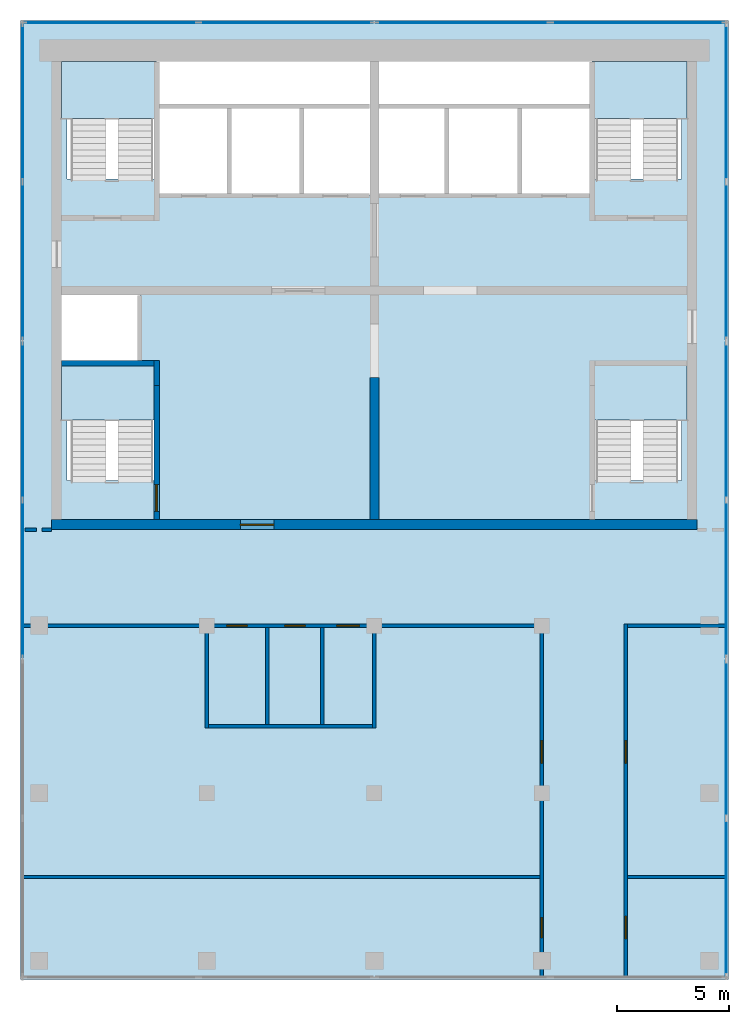
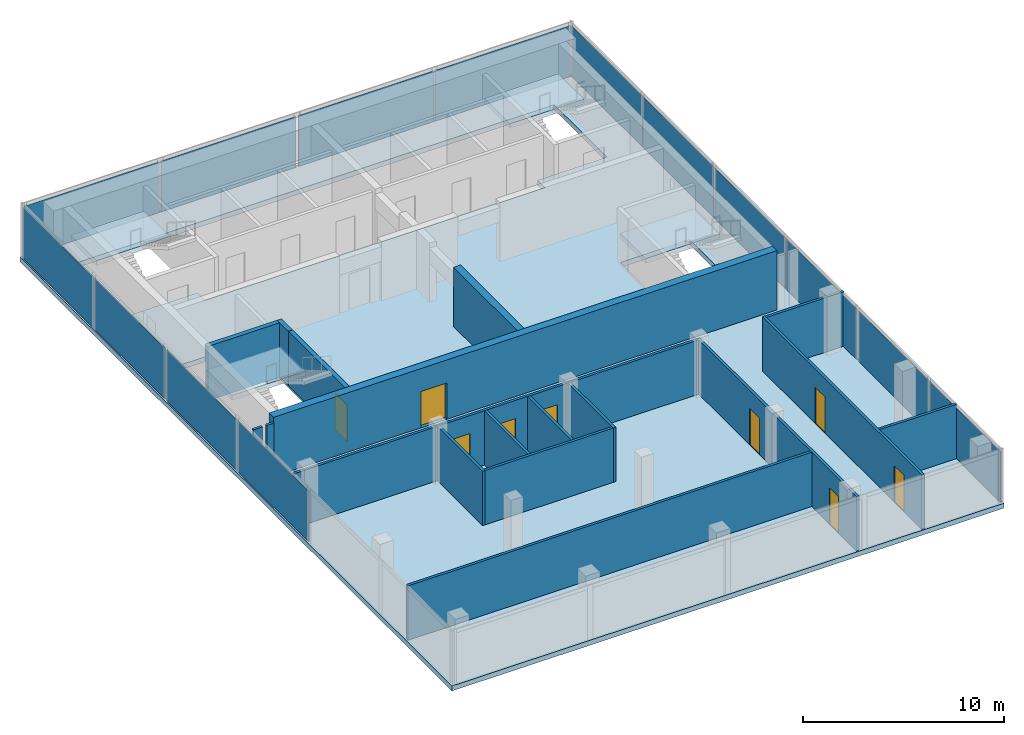
# One storey, part 2 of 5: 18 walls, 14 plates, 9 doors, 5 slabs, 9 openings, 11 elements without a shape of their own.
"""IFC4 building model written with IfcOpenShell, lengths in metres."""

from ifc_helpers import new_model, si_unit, direction, frame, frame_2d, origin, origin_2d, place, context, subcontext, project, spatial, polyline, rectangle, outline, extrude, material, layer, layer_set, type_object, element, fill, aggregate, save


model = new_model("IFC4")

# Units and contexts
model_context = context("Model", 3, precision=1e-05, world=origin(), true_north=direction((0.0, 1.0)))
body_context = subcontext(model_context, "Body", "Model", "MODEL_VIEW")
ifc_project = project(units=[si_unit("LENGTHUNIT", "METRE"), si_unit("AREAUNIT", "SQUARE_METRE"), si_unit("VOLUMEUNIT", "CUBIC_METRE"), si_unit("PLANEANGLEUNIT", "RADIAN"), si_unit("MASSUNIT", "GRAM", prefix="KILO")], contexts=[model_context])

# Site, building, storey
site_placement = place(None, origin())
site = spatial("IfcSite", under=ifc_project, at=site_placement, CompositionType="ELEMENT")
building_placement = place(site_placement, origin())
building = spatial("IfcBuilding", under=site, at=building_placement, Name="Pilkhan Gate Tower", CompositionType="ELEMENT")
storey_placement = place(building_placement, frame((0.0, 0.0, 276.5)))
storey = spatial("IfcBuildingStorey", under=building, at=storey_placement, Name="L72", CompositionType="ELEMENT", Elevation=276.5)

# Slab
ifc_material_1 = material(Name="Concrete C40/50", Category="concrete")
ifc_layer_1 = layer(ifc_material_1, 0.300048828125)
ifc_layer_set_1 = layer_set([ifc_layer_1], Name="Flat plate slab FP300")
slab_type_1 = type_object("IfcSlabType", Name="Flat plate slab FP300", PredefinedType="FLOOR", material=ifc_layer_set_1)
slab_1_placement = place(storey_placement, frame((0.0, 0.0, -0.300048828125)))
element("IfcSlab", 1, at=slab_1_placement, inside=storey, type_object=slab_type_1, Name="Floor slab L72", PredefinedType="FLOOR", context=body_context, shape_type="SweptSolid", body=[
    extrude(outline(polyline([(59.14990234375, 94.60009765625), (90.85009765625, 94.60009765625), (90.85009765625, 51.64990234375), (59.14990234375, 51.64990234375), (59.14990234375, 94.60009765625)]), holes=[polyline([(78.25, 86.75), (81.5, 86.75), (84.75, 86.75), (84.75, 87.5), (88.75, 87.5), (88.75, 92.75), (84.75, 92.75), (75.0, 92.75), (65.25, 92.75), (61.25, 92.75), (61.25, 87.5), (65.25, 87.5), (65.25, 86.75), (68.5, 86.75), (71.75, 86.75), (75.0, 86.75), (78.25, 86.75)]), polyline([(84.75, 79.25), (84.75, 74.0), (88.75, 74.0), (88.75, 79.25), (84.75, 79.25)]), polyline([(65.25, 79.25), (64.5, 79.25), (64.5, 82.5), (61.25, 82.5), (61.0, 82.5), (61.0, 79.25), (61.25, 79.25), (61.25, 74.0), (65.25, 74.0), (65.25, 79.25)])]), origin(), (0.0, 0.0, 1.0), 0.300048828125),
])

# Curtain wall, plates
ifc_material_2 = material(Name="Pale anodised aluminium, clear low-iron double glazing", Category="aluminium")
curtain_wall_type = type_object("IfcCurtainWallType", Name="Crown unitised curtain wall CW-C", PredefinedType="USERDEFINED", material=ifc_material_2)
curtain_wall_1_placement = place(storey_placement, origin())
curtain_wall_1 = element("IfcCurtainWall", 2, at=curtain_wall_1_placement, inside=storey, type_object=curtain_wall_type, Name="Crown unitised curtain wall CW-C L72 E", ObjectType="UNITISED CURTAIN WALL", PredefinedType="USERDEFINED")
ifc_material_3 = material(Name="Clear low-iron double glazing", Category="glass")
ifc_layer_2 = layer(ifc_material_3, 0.0439453125)
ifc_layer_set_2 = layer_set([ifc_layer_2], Name="Glass panel CW-C 44")
plate_type = type_object("IfcPlateType", Name="Glass panel CW-C 44", PredefinedType="CURTAIN_PANEL", material=ifc_layer_set_2)
plate_1_placement = place(storey_placement, frame((90.75, 55.331298828125, 0.0), z_axis=(0.0, 0.0, 1.0), x_axis=(0.0, 1.0, 0.0)))
plate_1 = element("IfcPlate", 3, at=plate_1_placement, type_object=plate_type, Name="CW-C panel 1", PredefinedType="CURTAIN_PANEL", context=body_context, shape_type="SweptSolid", body=[
    extrude(rectangle(XDim=7.012451171875, YDim=0.0439453125, at=origin_2d()), origin(), (0.0, 0.0, 1.0), 3.080078125),
])
plate_2_placement = place(storey_placement, frame((90.75, 62.418701171875, 0.0), z_axis=(0.0, 0.0, 1.0), x_axis=(0.0, 1.0, 0.0)))
plate_2 = element("IfcPlate", 4, at=plate_2_placement, type_object=plate_type, Name="CW-C panel 2", PredefinedType="CURTAIN_PANEL", context=body_context, shape_type="SweptSolid", body=[
    extrude(rectangle(XDim=7.012451171875, YDim=0.0439453125, at=origin_2d()), origin(), (0.0, 0.0, 1.0), 3.080078125),
])
aggregate(curtain_wall_1, [plate_1, plate_2])

curtain_wall_2_placement = place(storey_placement, origin())
curtain_wall_2 = element("IfcCurtainWall", 5, at=curtain_wall_2_placement, inside=storey, type_object=curtain_wall_type, Name="Crown unitised curtain wall CW-C L72 E", ObjectType="UNITISED CURTAIN WALL", PredefinedType="USERDEFINED")
plate_3_placement = place(storey_placement, frame((90.75, 69.581298828125, 0.0), z_axis=(0.0, 0.0, 1.0), x_axis=(0.0, 1.0, 0.0)))
plate_3 = element("IfcPlate", 6, at=plate_3_placement, type_object=plate_type, Name="CW-C panel 1", PredefinedType="CURTAIN_PANEL", context=body_context, shape_type="SweptSolid", body=[
    extrude(rectangle(XDim=7.012451171875, YDim=0.0439453125, at=origin_2d()), origin(), (0.0, 0.0, 1.0), 3.080078125),
])
plate_4_placement = place(storey_placement, frame((90.75, 76.668701171875, 0.0), z_axis=(0.0, 0.0, 1.0), x_axis=(0.0, 1.0, 0.0)))
plate_4 = element("IfcPlate", 7, at=plate_4_placement, type_object=plate_type, Name="CW-C panel 2", PredefinedType="CURTAIN_PANEL", context=body_context, shape_type="SweptSolid", body=[
    extrude(rectangle(XDim=7.012451171875, YDim=0.0439453125, at=origin_2d()), origin(), (0.0, 0.0, 1.0), 3.080078125),
])
aggregate(curtain_wall_2, [plate_3, plate_4])

curtain_wall_3_placement = place(storey_placement, origin())
curtain_wall_3 = element("IfcCurtainWall", 8, at=curtain_wall_3_placement, inside=storey, type_object=curtain_wall_type, Name="Crown unitised curtain wall CW-C L72 E", ObjectType="UNITISED CURTAIN WALL", PredefinedType="USERDEFINED")
plate_5_placement = place(storey_placement, frame((90.75, 83.831298828125, 0.0), z_axis=(0.0, 0.0, 1.0), x_axis=(0.0, 1.0, 0.0)))
plate_5 = element("IfcPlate", 9, at=plate_5_placement, type_object=plate_type, Name="CW-C panel 1", PredefinedType="CURTAIN_PANEL", context=body_context, shape_type="SweptSolid", body=[
    extrude(rectangle(XDim=7.012451171875, YDim=0.0439453125, at=origin_2d()), origin(), (0.0, 0.0, 1.0), 3.080078125),
])
plate_6_placement = place(storey_placement, frame((90.75, 90.918701171875, 0.0), z_axis=(0.0, 0.0, 1.0), x_axis=(0.0, 1.0, 0.0)))
plate_6 = element("IfcPlate", 10, at=plate_6_placement, type_object=plate_type, Name="CW-C panel 2", PredefinedType="CURTAIN_PANEL", context=body_context, shape_type="SweptSolid", body=[
    extrude(rectangle(XDim=7.012451171875, YDim=0.0439453125, at=origin_2d()), origin(), (0.0, 0.0, 1.0), 3.080078125),
])
aggregate(curtain_wall_3, [plate_5, plate_6])

curtain_wall_4_placement = place(storey_placement, origin())
curtain_wall_4 = element("IfcCurtainWall", 11, at=curtain_wall_4_placement, inside=storey, type_object=curtain_wall_type, Name="Crown unitised curtain wall CW-C L72 N", ObjectType="UNITISED CURTAIN WALL", PredefinedType="USERDEFINED")
plate_7_placement = place(storey_placement, frame((63.206298828125, 94.5, 0.0), z_axis=(0.0, 0.0, 1.0), x_axis=(1.0, 0.0, 0.0)))
plate_7 = element("IfcPlate", 12, at=plate_7_placement, type_object=plate_type, Name="CW-C panel 1", PredefinedType="CURTAIN_PANEL", context=body_context, shape_type="SweptSolid", body=[
    extrude(rectangle(XDim=7.762451171875, YDim=0.0439453125, at=origin_2d()), origin(), (0.0, 0.0, 1.0), 3.080078125),
])
plate_8_placement = place(storey_placement, frame((71.043701171875, 94.5, 0.0), z_axis=(0.0, 0.0, 1.0), x_axis=(1.0, 0.0, 0.0)))
plate_8 = element("IfcPlate", 13, at=plate_8_placement, type_object=plate_type, Name="CW-C panel 2", PredefinedType="CURTAIN_PANEL", context=body_context, shape_type="SweptSolid", body=[
    extrude(rectangle(XDim=7.762451171875, YDim=0.0439453125, at=origin_2d()), origin(), (0.0, 0.0, 1.0), 3.080078125),
])
aggregate(curtain_wall_4, [plate_7, plate_8])

curtain_wall_5_placement = place(storey_placement, origin())
curtain_wall_5 = element("IfcCurtainWall", 14, at=curtain_wall_5_placement, inside=storey, type_object=curtain_wall_type, Name="Crown unitised curtain wall CW-C L72 N", ObjectType="UNITISED CURTAIN WALL", PredefinedType="USERDEFINED")
plate_9_placement = place(storey_placement, frame((78.956298828125, 94.5, 0.0), z_axis=(0.0, 0.0, 1.0), x_axis=(1.0, 0.0, 0.0)))
plate_9 = element("IfcPlate", 15, at=plate_9_placement, type_object=plate_type, Name="CW-C panel 1", PredefinedType="CURTAIN_PANEL", context=body_context, shape_type="SweptSolid", body=[
    extrude(rectangle(XDim=7.762451171875, YDim=0.0439453125, at=origin_2d()), origin(), (0.0, 0.0, 1.0), 3.080078125),
])
plate_10_placement = place(storey_placement, frame((86.793701171875, 94.5, 0.0), z_axis=(0.0, 0.0, 1.0), x_axis=(1.0, 0.0, 0.0)))
plate_10 = element("IfcPlate", 16, at=plate_10_placement, type_object=plate_type, Name="CW-C panel 2", PredefinedType="CURTAIN_PANEL", context=body_context, shape_type="SweptSolid", body=[
    extrude(rectangle(XDim=7.762451171875, YDim=0.0439453125, at=origin_2d()), origin(), (0.0, 0.0, 1.0), 3.080078125),
])
aggregate(curtain_wall_5, [plate_9, plate_10])

curtain_wall_6_placement = place(storey_placement, origin())
curtain_wall_6 = element("IfcCurtainWall", 17, at=curtain_wall_6_placement, inside=storey, type_object=curtain_wall_type, Name="Crown unitised curtain wall CW-C L72 W", ObjectType="UNITISED CURTAIN WALL", PredefinedType="USERDEFINED")
plate_11_placement = place(storey_placement, frame((59.25, 69.581298828125, 0.0), z_axis=(0.0, 0.0, 1.0), x_axis=(0.0, 1.0, 0.0)))
plate_11 = element("IfcPlate", 18, at=plate_11_placement, type_object=plate_type, Name="CW-C panel 1", PredefinedType="CURTAIN_PANEL", context=body_context, shape_type="SweptSolid", body=[
    extrude(rectangle(XDim=7.012451171875, YDim=0.0439453125, at=origin_2d()), origin(), (0.0, 0.0, 1.0), 3.080078125),
])
plate_12_placement = place(storey_placement, frame((59.25, 76.668701171875, 0.0), z_axis=(0.0, 0.0, 1.0), x_axis=(0.0, 1.0, 0.0)))
plate_12 = element("IfcPlate", 19, at=plate_12_placement, type_object=plate_type, Name="CW-C panel 2", PredefinedType="CURTAIN_PANEL", context=body_context, shape_type="SweptSolid", body=[
    extrude(rectangle(XDim=7.012451171875, YDim=0.0439453125, at=origin_2d()), origin(), (0.0, 0.0, 1.0), 3.080078125),
])
aggregate(curtain_wall_6, [plate_11, plate_12])

curtain_wall_7_placement = place(storey_placement, origin())
curtain_wall_7 = element("IfcCurtainWall", 20, at=curtain_wall_7_placement, inside=storey, type_object=curtain_wall_type, Name="Crown unitised curtain wall CW-C L72 W", ObjectType="UNITISED CURTAIN WALL", PredefinedType="USERDEFINED")
plate_13_placement = place(storey_placement, frame((59.25, 83.831298828125, 0.0), z_axis=(0.0, 0.0, 1.0), x_axis=(0.0, 1.0, 0.0)))
plate_13 = element("IfcPlate", 21, at=plate_13_placement, type_object=plate_type, Name="CW-C panel 1", PredefinedType="CURTAIN_PANEL", context=body_context, shape_type="SweptSolid", body=[
    extrude(rectangle(XDim=7.012451171875, YDim=0.0439453125, at=origin_2d()), origin(), (0.0, 0.0, 1.0), 3.080078125),
])
plate_14_placement = place(storey_placement, frame((59.25, 90.918701171875, 0.0), z_axis=(0.0, 0.0, 1.0), x_axis=(0.0, 1.0, 0.0)))
plate_14 = element("IfcPlate", 22, at=plate_14_placement, type_object=plate_type, Name="CW-C panel 2", PredefinedType="CURTAIN_PANEL", context=body_context, shape_type="SweptSolid", body=[
    extrude(rectangle(XDim=7.012451171875, YDim=0.0439453125, at=origin_2d()), origin(), (0.0, 0.0, 1.0), 3.080078125),
])
aggregate(curtain_wall_7, [plate_13, plate_14])

# Stair, slab
ifc_material_4 = material(Name="Concrete C40/50 precast", Category="concrete")
stair_type_1 = type_object("IfcStairType", Name="Stair ST1 164x280", PredefinedType="HALF_TURN_STAIR", material=ifc_material_4)
stair_1_placement = place(storey_placement, origin())
stair_1 = element("IfcStair", 23, at=stair_1_placement, inside=storey, type_object=stair_type_1, Name="Stair ST1 L72", PredefinedType="HALF_TURN_STAIR")
ifc_layer_3 = layer(ifc_material_1, 0.199951171875)
ifc_layer_set_3 = layer_set([ifc_layer_3], Name="Stair landing SL200")
slab_type_2 = type_object("IfcSlabType", Name="Stair landing SL200", PredefinedType="LANDING", material=ifc_layer_set_3)
slab_2_placement = place(storey_placement, frame((0.0, 0.0, 1.5)))
slab_2 = element("IfcSlab", 24, at=slab_2_placement, type_object=slab_type_2, Name="ST1 landing 1", PredefinedType="LANDING", context=body_context, shape_type="SweptSolid", body=[
    extrude(outline(polyline([(89.0, 76.699951171875), (89.0, 79.25), (84.75, 79.25), (84.75, 76.699951171875), (89.0, 76.699951171875)])), origin(), (0.0, 0.0, 1.0), 0.300048828125),
])
aggregate(stair_1, [slab_2])

stair_type_2 = type_object("IfcStairType", Name="Stair ST2 164x280", PredefinedType="HALF_TURN_STAIR", material=ifc_material_4)
stair_2_placement = place(storey_placement, origin())
stair_2 = element("IfcStair", 25, at=stair_2_placement, inside=storey, type_object=stair_type_2, Name="Stair ST2 L72", PredefinedType="HALF_TURN_STAIR")
slab_3_placement = place(storey_placement, frame((0.0, 0.0, 1.5)))
slab_3 = element("IfcSlab", 26, at=slab_3_placement, type_object=slab_type_2, Name="ST2 landing 1", PredefinedType="LANDING", context=body_context, shape_type="SweptSolid", body=[
    extrude(outline(polyline([(65.25, 76.699951171875), (65.25, 79.25), (61.0, 79.25), (61.0, 76.699951171875), (65.25, 76.699951171875)])), origin(), (0.0, 0.0, 1.0), 0.300048828125),
])
aggregate(stair_2, [slab_3])

stair_type_3 = type_object("IfcStairType", Name="Stair ST3 164x280", PredefinedType="HALF_TURN_STAIR", material=ifc_material_4)
stair_3_placement = place(storey_placement, origin())
stair_3 = element("IfcStair", 27, at=stair_3_placement, inside=storey, type_object=stair_type_3, Name="Stair ST3 L72", PredefinedType="HALF_TURN_STAIR")
slab_4_placement = place(storey_placement, frame((0.0, 0.0, 1.5)))
slab_4 = element("IfcSlab", 28, at=slab_4_placement, type_object=slab_type_2, Name="ST3 landing 1", PredefinedType="LANDING", context=body_context, shape_type="SweptSolid", body=[
    extrude(outline(polyline([(65.25, 90.199951171875), (65.25, 92.75), (61.0, 92.75), (61.0, 90.199951171875), (65.25, 90.199951171875)])), origin(), (0.0, 0.0, 1.0), 0.300048828125),
])
aggregate(stair_3, [slab_4])

stair_type_4 = type_object("IfcStairType", Name="Stair ST4 164x280", PredefinedType="HALF_TURN_STAIR", material=ifc_material_4)
stair_4_placement = place(storey_placement, origin())
stair_4 = element("IfcStair", 29, at=stair_4_placement, inside=storey, type_object=stair_type_4, Name="Stair ST4 L72", PredefinedType="HALF_TURN_STAIR")
slab_5_placement = place(storey_placement, frame((0.0, 0.0, 1.5)))
slab_5 = element("IfcSlab", 30, at=slab_5_placement, type_object=slab_type_2, Name="ST4 landing 1", PredefinedType="LANDING", context=body_context, shape_type="SweptSolid", body=[
    extrude(outline(polyline([(89.0, 90.199951171875), (89.0, 92.75), (84.75, 92.75), (84.75, 90.199951171875), (89.0, 90.199951171875)])), origin(), (0.0, 0.0, 1.0), 0.300048828125),
])
aggregate(stair_4, [slab_5])

# Wall, opening, door
ifc_material_5 = material(Name="Concrete C50/60", Category="concrete")
ifc_layer_4 = layer(ifc_material_5, 0.449951171875)
ifc_layer_set_4 = layer_set([ifc_layer_4], Name="Core wall CW450 C50/60")
wall_type_1 = type_object("IfcWallType", Name="Core wall CW450 C50/60", PredefinedType="SHEAR", material=ifc_layer_set_4)
wall_1_placement = place(storey_placement, frame((60.550048828125, 72.02490234375, 0.0), z_axis=(0.0, 0.0, 1.0), x_axis=(1.0, 0.0, 0.0)))
wall_1 = element("IfcWall", 31, at=wall_1_placement, inside=storey, type_object=wall_type_1, Name="Core wall S L72", PredefinedType="SHEAR", context=body_context, shape_type="SweptSolid", body=[
    extrude(rectangle(XDim=28.89990234375, YDim=0.449951171875, at=frame_2d((14.449951171875, 0.0))), origin(), (0.0, 0.0, 1.0), 3.60009765625),
])
opening_1_placement = place(wall_1_placement, frame((8.449951171875, 0.0, 0.0)))
opening_1 = element("IfcOpeningElement", 32, at=opening_1_placement, cuts=wall_1, Name="Opening L72-06", PredefinedType="OPENING", context=body_context, shape_type="SweptSolid", body=[
    extrude(rectangle(XDim=1.5, YDim=2.199951171875, at=frame_2d((0.75, 1.10009765625))), frame((0.0, 0.23486328125, 0.0), z_axis=(0.0, -1.0, 0.0), x_axis=(1.0, 0.0, 0.0)), (0.0, 0.0, 1.0), 0.469970703125),
])
ifc_material_6 = material(Name="Steel framed glazed door, 60 minute fire resisting", Category="steel")
door_type_1 = type_object("IfcDoorType", Name="Lobby door D09 1500x2200", OperationType="DOUBLE_DOOR_SINGLE_SWING", PredefinedType="DOOR", material=ifc_material_6)
door_1_placement = place(opening_1_placement, origin())
door_1 = element("IfcDoor", 33, at=door_1_placement, inside=storey, type_object=door_type_1, Name="Core door", OperationType="DOUBLE_DOOR_SINGLE_SWING", OverallHeight=2.199951171875, OverallWidth=1.5, PredefinedType="DOOR", context=body_context, shape_type="SweptSolid", body=[
    extrude(rectangle(XDim=1.5, YDim=2.199951171875, at=frame_2d((0.75, 1.10009765625))), frame((0.0, 0.02490234375, 0.0), z_axis=(0.0, -1.0, 0.0), x_axis=(1.0, 0.0, 0.0)), (0.0, 0.0, 1.0), 0.050048828125),
])
fill(opening_1, door_1)

# Walls
ifc_material_7 = material(Name="Blockwork partition, plastered both sides", Category="masonry")
ifc_layer_5 = layer(ifc_material_7, 0.14990234375)
ifc_layer_set_5 = layer_set([ifc_layer_5], Name="Partition PW150")
wall_type_2 = type_object("IfcWallType", Name="Partition PW150", PredefinedType="PARTITIONING", material=ifc_layer_set_5)
wall_2_placement = place(storey_placement, frame((59.235107421875, 56.25, 0.0), z_axis=(0.0, 0.0, 1.0), x_axis=(1.0, 0.0, 0.0)))
element("IfcWall", 34, at=wall_2_placement, inside=storey, type_object=wall_type_2, Name="Partition L72", PredefinedType="PARTITIONING", context=body_context, shape_type="SweptSolid", body=[
    extrude(rectangle(XDim=23.18994140625, YDim=0.14990234375, at=frame_2d((11.594970703125, 0.0))), origin(), (0.0, 0.0, 1.0), 3.300048828125),
])
wall_3_placement = place(storey_placement, frame((86.324951171875, 56.25, 0.0), z_axis=(0.0, 0.0, 1.0), x_axis=(1.0, 0.0, 0.0)))
element("IfcWall", 35, at=wall_3_placement, inside=storey, type_object=wall_type_2, Name="Partition L72", PredefinedType="PARTITIONING", context=body_context, shape_type="SweptSolid", body=[
    extrude(rectangle(XDim=4.43994140625, YDim=0.14990234375, at=frame_2d((2.219970703125, 0.0))), origin(), (0.0, 0.0, 1.0), 3.300048828125),
])
wall_4_placement = place(storey_placement, frame((67.574951171875, 63.0, 0.0), z_axis=(0.0, 0.0, 1.0), x_axis=(1.0, 0.0, 0.0)))
element("IfcWall", 36, at=wall_4_placement, inside=storey, type_object=wall_type_2, Name="Partition L72", PredefinedType="PARTITIONING", context=body_context, shape_type="SweptSolid", body=[
    extrude(rectangle(XDim=7.35009765625, YDim=0.14990234375, at=frame_2d((3.675048828125, 0.0))), origin(), (0.0, 0.0, 1.0), 3.300048828125),
])

# Wall, openings, doors
wall_5_placement = place(storey_placement, frame((59.235107421875, 67.5, 0.0), z_axis=(0.0, 0.0, 1.0), x_axis=(1.0, 0.0, 0.0)))
wall_5 = element("IfcWall", 37, at=wall_5_placement, inside=storey, type_object=wall_type_2, Name="Partition L72", PredefinedType="PARTITIONING", context=body_context, shape_type="SweptSolid", body=[
    extrude(rectangle(XDim=23.18994140625, YDim=0.14990234375, at=frame_2d((11.594970703125, 0.0))), origin(), (0.0, 0.0, 1.0), 3.300048828125),
])
opening_2_placement = place(wall_5_placement, frame((9.1650390625, 0.0, 0.0)))
opening_2 = element("IfcOpeningElement", 38, at=opening_2_placement, cuts=wall_5, Name="Opening L72-09", PredefinedType="OPENING", context=body_context, shape_type="SweptSolid", body=[
    extrude(rectangle(XDim=0.89990234375, YDim=2.199951171875, at=frame_2d((0.449951171875, 1.10009765625))), frame((0.0, 0.0849609375, 0.0), z_axis=(0.0, -1.0, 0.0), x_axis=(1.0, 0.0, 0.0)), (0.0, 0.0, 1.0), 0.169921875),
])
opening_3_placement = place(wall_5_placement, frame((11.764892578125, 0.0, 0.0)))
opening_3 = element("IfcOpeningElement", 39, at=opening_3_placement, cuts=wall_5, Name="Opening L72-10", PredefinedType="OPENING", context=body_context, shape_type="SweptSolid", body=[
    extrude(rectangle(XDim=0.89990234375, YDim=2.199951171875, at=frame_2d((0.449951171875, 1.10009765625))), frame((0.0, 0.0849609375, 0.0), z_axis=(0.0, -1.0, 0.0), x_axis=(1.0, 0.0, 0.0)), (0.0, 0.0, 1.0), 0.169921875),
])
opening_4_placement = place(wall_5_placement, frame((14.090087890625, 0.0, 0.0)))
opening_4 = element("IfcOpeningElement", 40, at=opening_4_placement, cuts=wall_5, Name="Opening L72-11", PredefinedType="OPENING", context=body_context, shape_type="SweptSolid", body=[
    extrude(rectangle(XDim=1.0, YDim=2.199951171875, at=frame_2d((0.5, 1.10009765625))), frame((0.0, 0.0849609375, 0.0), z_axis=(0.0, -1.0, 0.0), x_axis=(1.0, 0.0, 0.0)), (0.0, 0.0, 1.0), 0.169921875),
])
ifc_material_8 = material(Name="Timber flush door, outward opening, 30 minute fire resisting", Category="wood")
door_type_2 = type_object("IfcDoorType", Name="Accessible toilet door D07 1000x2200", OperationType="SINGLE_SWING_LEFT", PredefinedType="DOOR", material=ifc_material_8)
door_2_placement = place(opening_4_placement, origin())
door_2 = element("IfcDoor", 41, at=door_2_placement, inside=storey, type_object=door_type_2, Name="Accessible toilet door", OperationType="SINGLE_SWING_LEFT", OverallHeight=2.199951171875, OverallWidth=1.0, PredefinedType="DOOR", context=body_context, shape_type="SweptSolid", body=[
    extrude(rectangle(XDim=1.0, YDim=2.199951171875, at=frame_2d((0.5, 1.10009765625))), frame((0.0, 0.02490234375, 0.0), z_axis=(0.0, -1.0, 0.0), x_axis=(1.0, 0.0, 0.0)), (0.0, 0.0, 1.0), 0.050048828125),
])
fill(opening_4, door_2)
ifc_material_9 = material(Name="Timber flush door, 30 minute fire resisting", Category="wood")
door_type_3 = type_object("IfcDoorType", Name="Toilet door D06 900x2200", OperationType="SINGLE_SWING_LEFT", PredefinedType="DOOR", material=ifc_material_9)
door_3_placement = place(opening_2_placement, origin())
door_3 = element("IfcDoor", 42, at=door_3_placement, inside=storey, type_object=door_type_3, Name="Toilet door", OperationType="SINGLE_SWING_LEFT", OverallHeight=2.199951171875, OverallWidth=0.89990234375, PredefinedType="DOOR", context=body_context, shape_type="SweptSolid", body=[
    extrude(rectangle(XDim=0.89990234375, YDim=2.199951171875, at=frame_2d((0.449951171875, 1.10009765625))), frame((0.0, 0.02490234375, 0.0), z_axis=(0.0, -1.0, 0.0), x_axis=(1.0, 0.0, 0.0)), (0.0, 0.0, 1.0), 0.050048828125),
])
fill(opening_2, door_3)
door_4_placement = place(opening_3_placement, origin())
door_4 = element("IfcDoor", 43, at=door_4_placement, inside=storey, type_object=door_type_3, Name="Toilet door", OperationType="SINGLE_SWING_LEFT", OverallHeight=2.199951171875, OverallWidth=0.89990234375, PredefinedType="DOOR", context=body_context, shape_type="SweptSolid", body=[
    extrude(rectangle(XDim=0.89990234375, YDim=2.199951171875, at=frame_2d((0.449951171875, 1.10009765625))), frame((0.0, 0.02490234375, 0.0), z_axis=(0.0, -1.0, 0.0), x_axis=(1.0, 0.0, 0.0)), (0.0, 0.0, 1.0), 0.050048828125),
])
fill(opening_3, door_4)

# Walls
wall_6_placement = place(storey_placement, frame((86.324951171875, 67.5, 0.0), z_axis=(0.0, 0.0, 1.0), x_axis=(1.0, 0.0, 0.0)))
element("IfcWall", 44, at=wall_6_placement, inside=storey, type_object=wall_type_2, Name="Partition L72", PredefinedType="PARTITIONING", context=body_context, shape_type="SweptSolid", body=[
    extrude(rectangle(XDim=4.43994140625, YDim=0.14990234375, at=frame_2d((2.219970703125, 0.0))), origin(), (0.0, 0.0, 1.0), 3.300048828125),
])
wall_7_placement = place(storey_placement, frame((59.35498046875, 71.800048828125, 0.0), z_axis=(0.0, 0.0, 1.0), x_axis=(1.0, 0.0, 0.0)))
element("IfcWall", 45, at=wall_7_placement, inside=storey, type_object=wall_type_2, Name="Partition L72", PredefinedType="PARTITIONING", context=body_context, shape_type="SweptSolid", body=[
    extrude(rectangle(XDim=0.52490234375, YDim=0.14990234375, at=frame_2d((0.262451171875, 0.0))), origin(), (0.0, 0.0, 1.0), 3.300048828125),
])
wall_8_placement = place(storey_placement, frame((60.1201171875, 71.800048828125, 0.0), z_axis=(0.0, 0.0, 1.0), x_axis=(1.0, 0.0, 0.0)))
element("IfcWall", 46, at=wall_8_placement, inside=storey, type_object=wall_type_2, Name="Partition L72", PredefinedType="PARTITIONING", context=body_context, shape_type="SweptSolid", body=[
    extrude(rectangle(XDim=0.419921875, YDim=0.14990234375, at=frame_2d((0.2099609375, 0.0))), origin(), (0.0, 0.0, 1.0), 3.300048828125),
])
wall_9_placement = place(storey_placement, frame((67.5, 62.925048828125, 0.0), z_axis=(0.0, 0.0, 1.0), x_axis=(0.0, 1.0, 0.0)))
element("IfcWall", 47, at=wall_9_placement, inside=storey, type_object=wall_type_2, Name="Partition L72", PredefinedType="PARTITIONING", context=body_context, shape_type="SweptSolid", body=[
    extrude(rectangle(XDim=4.5, YDim=0.14990234375, at=frame_2d((2.25, 0.0))), origin(), (0.0, 0.0, 1.0), 3.300048828125),
])
for number, where, z_axis, x_axis, name in (
    (48, (70.199951171875, 63.074951171875, 0.0), (0.0, 0.0, 1.0), (0.0, 1.0, 0.0), "Partition L72"),
    (49, (72.675048828125, 63.074951171875, 0.0), (0.0, 0.0, 1.0), (0.0, 1.0, 0.0), "Partition L72"),
):
    element("IfcWall", number, at=place(storey_placement, frame(where, z_axis=z_axis, x_axis=x_axis)), inside=storey, type_object=wall_type_2, Name=name, PredefinedType="PARTITIONING", context=body_context, shape_type="SweptSolid", body=[
        extrude(rectangle(XDim=4.35009765625, YDim=0.14990234375, at=frame_2d((2.175048828125, 0.0))), origin(), (0.0, 0.0, 1.0), 3.300048828125),
    ])
wall_10_placement = place(storey_placement, frame((75.0, 62.925048828125, 0.0), z_axis=(0.0, 0.0, 1.0), x_axis=(0.0, 1.0, 0.0)))
element("IfcWall", 50, at=wall_10_placement, inside=storey, type_object=wall_type_2, Name="Partition L72", PredefinedType="PARTITIONING", context=body_context, shape_type="SweptSolid", body=[
    extrude(rectangle(XDim=4.5, YDim=0.14990234375, at=frame_2d((2.25, 0.0))), origin(), (0.0, 0.0, 1.0), 3.300048828125),
])

# Wall, openings, doors
wall_11_placement = place(storey_placement, frame((82.5, 51.735107421875, 0.0), z_axis=(0.0, 0.0, 1.0), x_axis=(0.0, 1.0, 0.0)))
wall_11 = element("IfcWall", 51, at=wall_11_placement, inside=storey, type_object=wall_type_2, Name="Partition L72", PredefinedType="PARTITIONING", context=body_context, shape_type="SweptSolid", body=[
    extrude(rectangle(XDim=15.83984375, YDim=0.14990234375, at=frame_2d((7.919921875, 0.0))), origin(), (0.0, 0.0, 1.0), 3.300048828125),
])
opening_5_placement = place(wall_11_placement, frame((9.614990234375, 0.0, 0.0)))
opening_5 = element("IfcOpeningElement", 52, at=opening_5_placement, cuts=wall_11, Name="Opening L72-12", PredefinedType="OPENING", context=body_context, shape_type="SweptSolid", body=[
    extrude(rectangle(XDim=1.0, YDim=2.199951171875, at=frame_2d((0.5, 1.10009765625))), frame((0.0, 0.0849609375, 0.0), z_axis=(0.0, -1.0, 0.0), x_axis=(1.0, 0.0, 0.0)), (0.0, 0.0, 1.0), 0.169921875),
])
opening_6_placement = place(wall_11_placement, frame((1.800048828125, 0.0, 0.0)))
opening_6 = element("IfcOpeningElement", 53, at=opening_6_placement, cuts=wall_11, Name="Opening L72-13", PredefinedType="OPENING", context=body_context, shape_type="SweptSolid", body=[
    extrude(rectangle(XDim=0.89990234375, YDim=2.199951171875, at=frame_2d((0.449951171875, 1.10009765625))), frame((0.0, 0.0849609375, 0.0), z_axis=(0.0, -1.0, 0.0), x_axis=(1.0, 0.0, 0.0)), (0.0, 0.0, 1.0), 0.169921875),
])
door_type_4 = type_object("IfcDoorType", Name="Room door D03 1000x2200", OperationType="SINGLE_SWING_LEFT", PredefinedType="DOOR", material=ifc_material_9)
door_5_placement = place(opening_5_placement, origin())
door_5 = element("IfcDoor", 54, at=door_5_placement, inside=storey, type_object=door_type_4, Name="Room door", OperationType="SINGLE_SWING_RIGHT", OverallHeight=2.199951171875, OverallWidth=1.0, PredefinedType="DOOR", context=body_context, shape_type="SweptSolid", body=[
    extrude(rectangle(XDim=1.0, YDim=2.199951171875, at=frame_2d((0.5, 1.10009765625))), frame((0.0, 0.02490234375, 0.0), z_axis=(0.0, -1.0, 0.0), x_axis=(1.0, 0.0, 0.0)), (0.0, 0.0, 1.0), 0.050048828125),
])
fill(opening_5, door_5)
ifc_material_10 = material(Name="Timber flush door, 60 minute fire resisting, self-closing", Category="wood")
door_type_5 = type_object("IfcDoorType", Name="Store door D05 900x2200", OperationType="SINGLE_SWING_LEFT", PredefinedType="DOOR", material=ifc_material_10)
door_6_placement = place(opening_6_placement, origin())
door_6 = element("IfcDoor", 55, at=door_6_placement, inside=storey, type_object=door_type_5, Name="Store door", OperationType="SINGLE_SWING_LEFT", OverallHeight=2.199951171875, OverallWidth=0.89990234375, PredefinedType="DOOR", context=body_context, shape_type="SweptSolid", body=[
    extrude(rectangle(XDim=0.89990234375, YDim=2.199951171875, at=frame_2d((0.449951171875, 1.10009765625))), frame((0.0, 0.02490234375, 0.0), z_axis=(0.0, -1.0, 0.0), x_axis=(1.0, 0.0, 0.0)), (0.0, 0.0, 1.0), 0.050048828125),
])
fill(opening_6, door_6)

wall_12_placement = place(storey_placement, frame((86.25, 51.735107421875, 0.0), z_axis=(0.0, 0.0, 1.0), x_axis=(0.0, 1.0, 0.0)))
wall_12 = element("IfcWall", 56, at=wall_12_placement, inside=storey, type_object=wall_type_2, Name="Partition L72", PredefinedType="PARTITIONING", context=body_context, shape_type="SweptSolid", body=[
    extrude(rectangle(XDim=15.83984375, YDim=0.14990234375, at=frame_2d((7.919921875, 0.0))), origin(), (0.0, 0.0, 1.0), 3.300048828125),
])
opening_7_placement = place(wall_12_placement, frame((9.614990234375, 0.0, 0.0)))
opening_7 = element("IfcOpeningElement", 57, at=opening_7_placement, cuts=wall_12, Name="Opening L72-14", PredefinedType="OPENING", context=body_context, shape_type="SweptSolid", body=[
    extrude(rectangle(XDim=1.0, YDim=2.199951171875, at=frame_2d((0.5, 1.10009765625))), frame((0.0, 0.0849609375, 0.0), z_axis=(0.0, -1.0, 0.0), x_axis=(1.0, 0.0, 0.0)), (0.0, 0.0, 1.0), 0.169921875),
])
opening_8_placement = place(wall_12_placement, frame((1.75, 0.0, 0.0)))
opening_8 = element("IfcOpeningElement", 58, at=opening_8_placement, cuts=wall_12, Name="Opening L72-15", PredefinedType="OPENING", context=body_context, shape_type="SweptSolid", body=[
    extrude(rectangle(XDim=1.0, YDim=2.199951171875, at=frame_2d((0.5, 1.10009765625))), frame((0.0, 0.0849609375, 0.0), z_axis=(0.0, -1.0, 0.0), x_axis=(1.0, 0.0, 0.0)), (0.0, 0.0, 1.0), 0.169921875),
])
door_7_placement = place(opening_7_placement, origin())
door_7 = element("IfcDoor", 59, at=door_7_placement, inside=storey, type_object=door_type_4, Name="Room door", OperationType="SINGLE_SWING_RIGHT", OverallHeight=2.199951171875, OverallWidth=1.0, PredefinedType="DOOR", context=body_context, shape_type="SweptSolid", body=[
    extrude(rectangle(XDim=1.0, YDim=2.199951171875, at=frame_2d((0.5, 1.10009765625))), frame((0.0, 0.02490234375, 0.0), z_axis=(0.0, -1.0, 0.0), x_axis=(1.0, 0.0, 0.0)), (0.0, 0.0, 1.0), 0.050048828125),
])
fill(opening_7, door_7)
door_8_placement = place(opening_8_placement, origin())
door_8 = element("IfcDoor", 60, at=door_8_placement, inside=storey, type_object=door_type_4, Name="Room door", OperationType="SINGLE_SWING_RIGHT", OverallHeight=2.199951171875, OverallWidth=1.0, PredefinedType="DOOR", context=body_context, shape_type="SweptSolid", body=[
    extrude(rectangle(XDim=1.0, YDim=2.199951171875, at=frame_2d((0.5, 1.10009765625))), frame((0.0, 0.02490234375, 0.0), z_axis=(0.0, -1.0, 0.0), x_axis=(1.0, 0.0, 0.0)), (0.0, 0.0, 1.0), 0.050048828125),
])
fill(opening_8, door_8)

# Walls
ifc_layer_6 = layer(ifc_material_5, 0.39990234375)
ifc_layer_set_6 = layer_set([ifc_layer_6], Name="Spine wall SW400 C50/60")
wall_type_3 = type_object("IfcWallType", Name="Spine wall SW400 C50/60", PredefinedType="SHEAR", material=ifc_layer_set_6)
wall_13_placement = place(storey_placement, frame((75.0, 72.25, 0.0), z_axis=(0.0, 0.0, 1.0), x_axis=(0.0, 1.0, 0.0)))
element("IfcWall", 61, at=wall_13_placement, inside=storey, type_object=wall_type_3, Name="Spine wall SP-NS-S1 L72", PredefinedType="SHEAR", context=body_context, shape_type="SweptSolid", body=[
    extrude(rectangle(XDim=6.35009765625, YDim=0.39990234375, at=frame_2d((3.175048828125, 0.0))), origin(), (0.0, 0.0, 1.0), 3.60009765625),
])
ifc_material_11 = material(Name="Reinforced blockwork, 120 minute fire resisting", Category="masonry")
ifc_layer_7 = layer(ifc_material_11, 0.25)
ifc_layer_set_7 = layer_set([ifc_layer_7], Name="Stair enclosure wall SE250")
wall_type_4 = type_object("IfcWallType", Name="Stair enclosure wall SE250", PredefinedType="PARTITIONING", material=ifc_layer_set_7)
wall_14_placement = place(storey_placement, frame((61.0, 79.25, 0.0), z_axis=(0.0, 0.0, 1.0), x_axis=(1.0, 0.0, 0.0)))
element("IfcWall", 62, at=wall_14_placement, inside=storey, type_object=wall_type_4, Name="Partition L72", PredefinedType="PARTITIONING", context=body_context, shape_type="SweptSolid", body=[
    extrude(rectangle(XDim=4.125, YDim=0.25, at=frame_2d((2.0625, 0.0))), origin(), (0.0, 0.0, 1.0), 3.300048828125),
])

# Wall, opening, door
wall_15_placement = place(storey_placement, frame((65.25, 72.260009765625, 0.0), z_axis=(0.0, 0.0, 1.0), x_axis=(0.0, 1.0, 0.0)))
wall_15 = element("IfcWall", 63, at=wall_15_placement, inside=storey, type_object=wall_type_4, Name="Partition L72", PredefinedType="PARTITIONING", context=body_context, shape_type="SweptSolid", body=[
    extrude(rectangle(XDim=5.989990234375, YDim=0.25, at=frame_2d((2.9951171875, 0.0))), origin(), (0.0, 0.0, 1.0), 3.300048828125),
])
opening_9_placement = place(wall_15_placement, frame((0.35009765625, 0.0, 0.0)))
opening_9 = element("IfcOpeningElement", 64, at=opening_9_placement, cuts=wall_15, Name="Opening L72-04", PredefinedType="OPENING", context=body_context, shape_type="SweptSolid", body=[
    extrude(rectangle(XDim=1.199951171875, YDim=2.199951171875, at=frame_2d((0.60009765625, 1.10009765625))), frame((0.0, 0.135009765625, 0.0), z_axis=(0.0, -1.0, 0.0), x_axis=(1.0, 0.0, 0.0)), (0.0, 0.0, 1.0), 0.27001953125),
])
ifc_material_12 = material(Name="Steel door, 120 minute fire resisting, panic bar", Category="steel")
door_type_6 = type_object("IfcDoorType", Name="Stair door D11 1200x2200", OperationType="SINGLE_SWING_LEFT", PredefinedType="DOOR", material=ifc_material_12)
door_9_placement = place(opening_9_placement, origin())
door_9 = element("IfcDoor", 65, at=door_9_placement, inside=storey, type_object=door_type_6, Name="Stair ST2 lobby door", OperationType="SINGLE_SWING_RIGHT", OverallHeight=2.199951171875, OverallWidth=1.199951171875, PredefinedType="DOOR", context=body_context, shape_type="SweptSolid", body=[
    extrude(rectangle(XDim=1.199951171875, YDim=2.199951171875, at=frame_2d((0.60009765625, 1.10009765625))), frame((0.0, 0.02490234375, 0.0), z_axis=(0.0, -1.0, 0.0), x_axis=(1.0, 0.0, 0.0)), (0.0, 0.0, 1.0), 0.050048828125),
])
fill(opening_9, door_9)

# Wall
wall_16_placement = place(storey_placement, frame((65.25, 78.260009765625, 0.0), z_axis=(0.0, 0.0, 1.0), x_axis=(0.0, 1.0, 0.0)))
element("IfcWall", 66, at=wall_16_placement, inside=storey, type_object=wall_type_4, Name="Partition L72", PredefinedType="PARTITIONING", context=body_context, shape_type="SweptSolid", body=[
    extrude(rectangle(XDim=1.114990234375, YDim=0.25, at=frame_2d((0.5576171875, 0.0))), origin(), (0.0, 0.0, 1.0), 3.300048828125),
])

save(model, "model.ifc")
